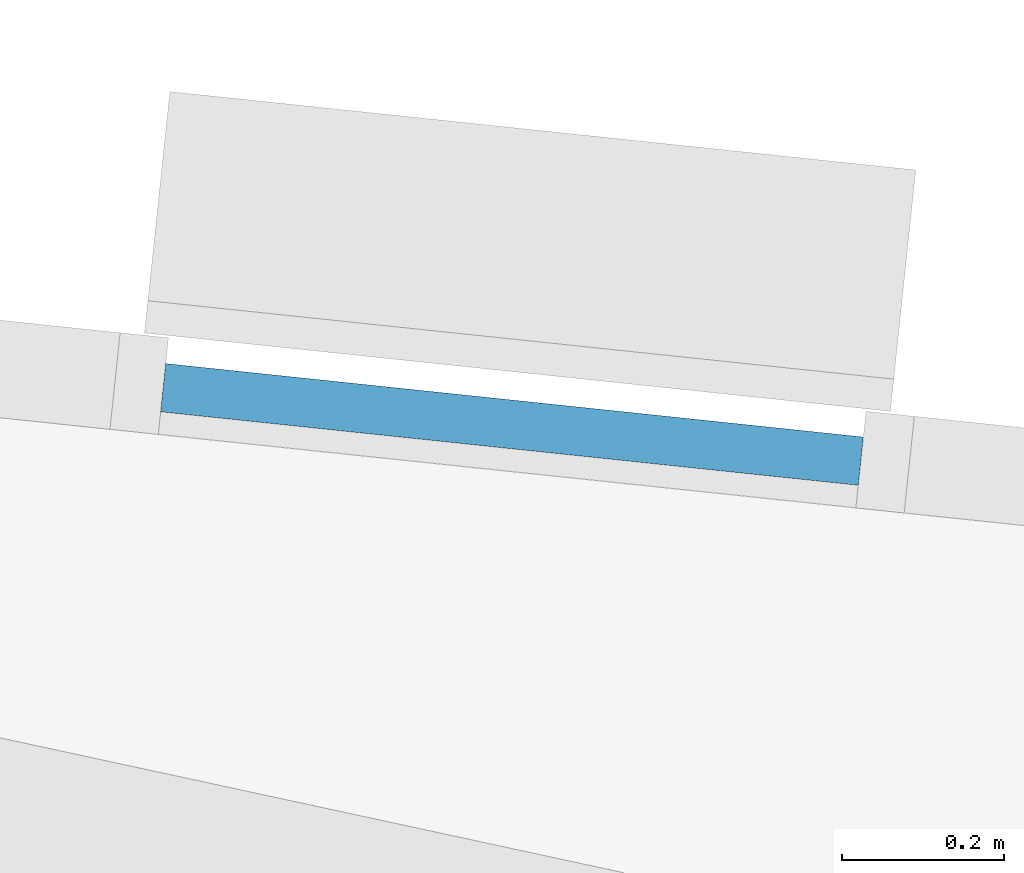
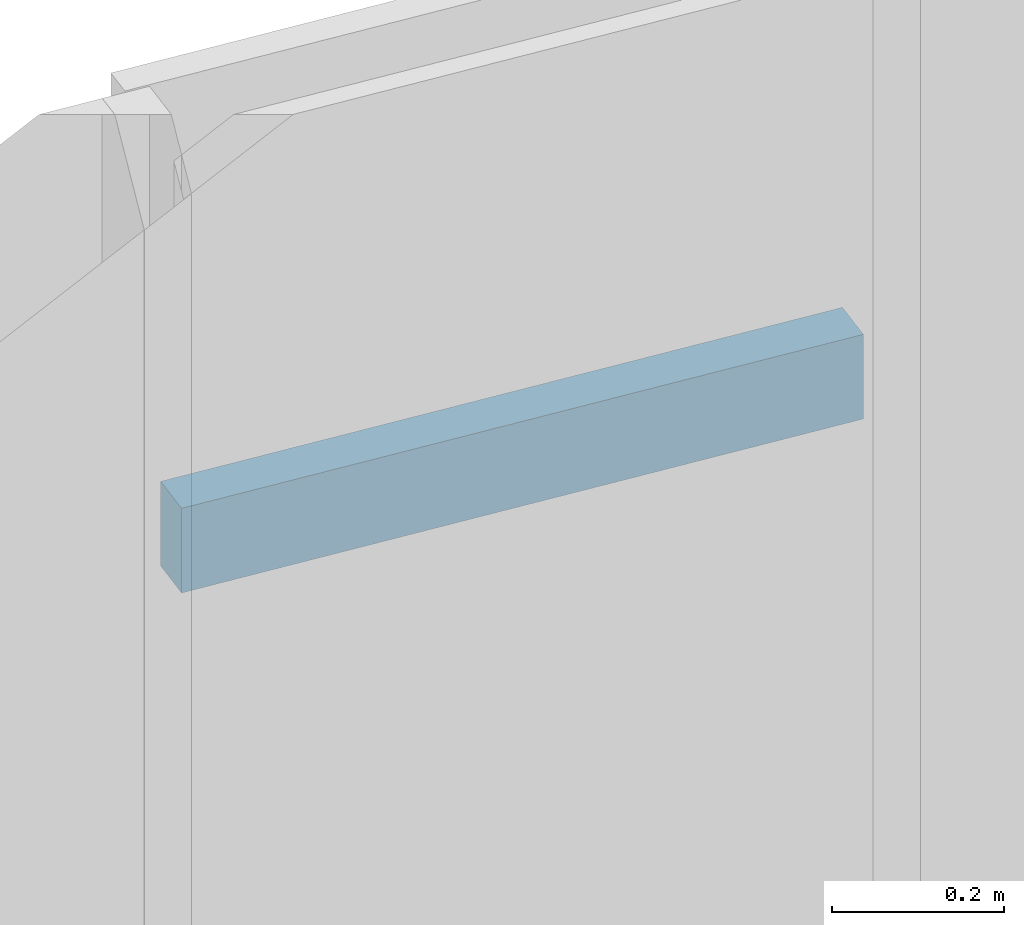
# One storey, part 16 of 41: 1 member, 1 element without a shape of its own.
"""IFC4 building model written with IfcOpenShell, lengths in metres."""

from ifc_helpers import new_model, si_unit, direction, frame, origin, origin_2d, place, context, subcontext, project, spatial, rectangle, extrude, material, material_profile, profile_set, type_object, element, aggregate, save


model = new_model("IFC4")

# Units and contexts
model_context = context("Model", 3, precision=1e-05, world=origin(), true_north=direction((0.0, 1.0)))
body_context = subcontext(model_context, "Body", "Model", "MODEL_VIEW")
ifc_project = project(units=[si_unit("LENGTHUNIT", "METRE"), si_unit("AREAUNIT", "SQUARE_METRE"), si_unit("VOLUMEUNIT", "CUBIC_METRE"), si_unit("PLANEANGLEUNIT", "RADIAN"), si_unit("MASSUNIT", "GRAM", prefix="KILO")], contexts=[model_context])

# Site, building, storey
site_placement = place(None, origin())
site = spatial("IfcSite", under=ifc_project, at=site_placement, CompositionType="ELEMENT")
building_placement = place(site_placement, origin())
building = spatial("IfcBuilding", under=site, at=building_placement, Name="Rimbun Link Towers", CompositionType="ELEMENT")
storey_placement = place(building_placement, frame((0.0, 0.0, 214.300048828125)))
storey = spatial("IfcBuildingStorey", under=building, at=storey_placement, Name="L52", CompositionType="ELEMENT", Elevation=214.300048828125)

# Curtain wall, member
ifc_material_1 = material(Name="Aluminium 6063-T6 and low-iron glass", Category="aluminium")
curtain_wall_type = type_object("IfcCurtainWallType", Name="CW1-Z4 unitised vision wall (zone 4)", PredefinedType="NOTDEFINED", material=ifc_material_1)
curtain_wall_placement = place(storey_placement, origin())
curtain_wall = element("IfcCurtainWall", 1, at=curtain_wall_placement, inside=storey, type_object=curtain_wall_type, Name="CW1 L52 T1", PredefinedType="NOTDEFINED")
ifc_material_2 = material(Name="Aluminium 6063-T6", Category="aluminium")
ifc_material_profile = material_profile(ifc_material_2, rectangle(XDim=0.06005859375, YDim=0.1201171875, at=origin_2d()), Name="TRANSOM 60X120")
ifc_profile_set = profile_set([ifc_material_profile], Name="Aluminium 6063-T6")
member_type = type_object("IfcMemberType", Name="CW1 transom 60X120", PredefinedType="USERDEFINED", material=ifc_profile_set)
member_placement = place(storey_placement, frame((-29.4267578125, 18.617431640625, 3.199951171875), z_axis=(0.994502367673, -0.104714090228, 0.0), x_axis=(0.104714090228, 0.994502367673, 0.0)))
member = element("IfcMember", 2, at=member_placement, type_object=member_type, Name="CW1 transom", ObjectType="TRANSOM", PredefinedType="USERDEFINED", context=body_context, shape_type="SweptSolid", body=[
    extrude(rectangle(XDim=0.06005859375, YDim=0.1201171875, at=origin_2d()), origin(), (0.0, 0.0, 1.0), 0.867431640625),
])
aggregate(curtain_wall, [member])

save(model, "model.ifc")
